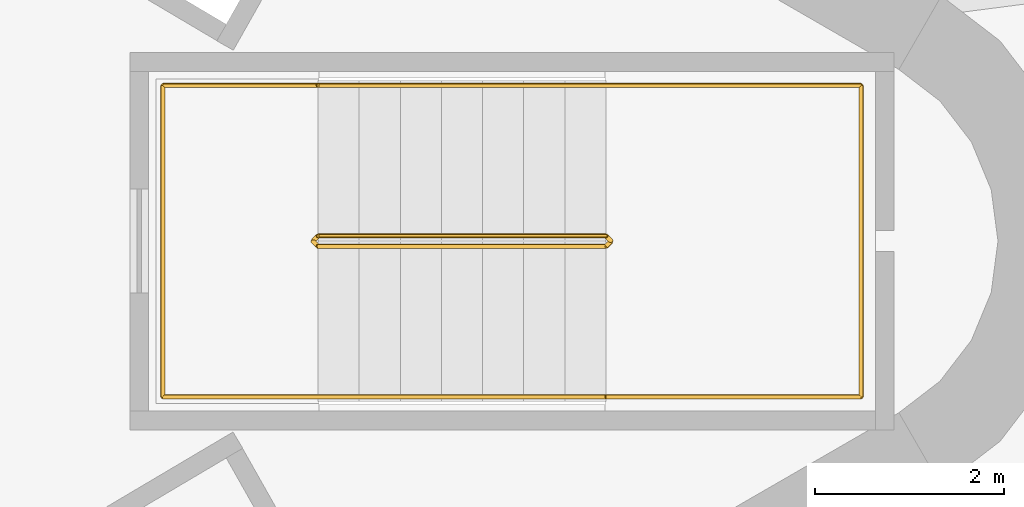
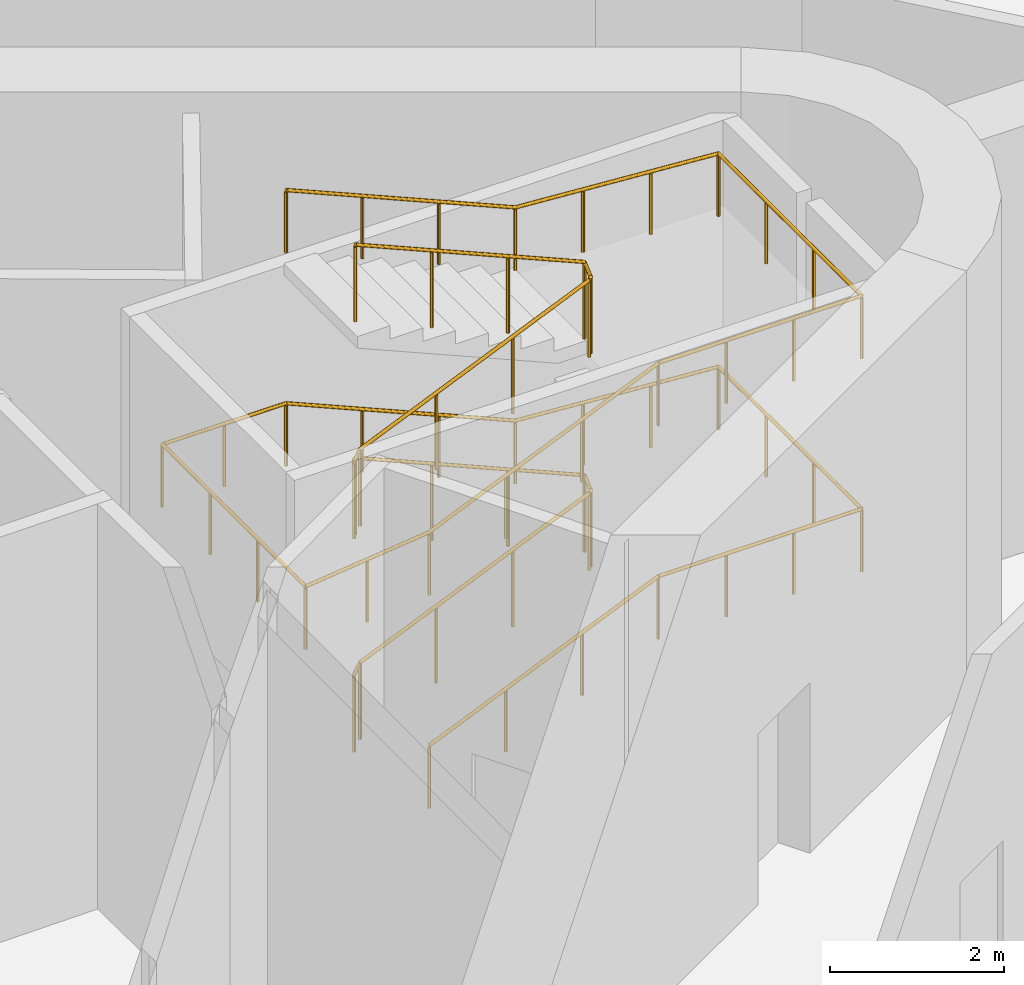
# One storey, part 13 of 13: 2 railings.
"""IFC4 building model written with IfcOpenShell, lengths in metres."""

from ifc_helpers import new_model, si_unit, direction, frame, origin, origin_2d, place, context, subcontext, project, spatial, circle, extrude, material, type_object, element, save


model = new_model("IFC4")

# Units and contexts
model_context = context("Model", 3, precision=1e-05, world=origin(), true_north=direction((0.0, 1.0)))
body_context = subcontext(model_context, "Body", "Model", "MODEL_VIEW")
ifc_project = project(units=[si_unit("LENGTHUNIT", "METRE"), si_unit("AREAUNIT", "SQUARE_METRE"), si_unit("VOLUMEUNIT", "CUBIC_METRE"), si_unit("PLANEANGLEUNIT", "RADIAN"), si_unit("MASSUNIT", "GRAM", prefix="KILO")], contexts=[model_context])

# Site, building, storey
site_placement = place(None, origin())
site = spatial("IfcSite", under=ifc_project, at=site_placement, CompositionType="ELEMENT")
building_placement = place(site_placement, origin())
building = spatial("IfcBuilding", under=site, at=building_placement, Name="Tanit Gate Tower", CompositionType="ELEMENT")
storey_placement = place(building_placement, frame((0.0, 0.0, 163.199951171875)))
storey = spatial("IfcBuildingStorey", under=building, at=storey_placement, Name="L35", CompositionType="ELEMENT", Elevation=163.199951171875)

# Railings
ifc_material_1 = material(Name="Stainless steel balustrade", Category="steel")
railing_type_1 = type_object("IfcRailingType", Name="INT-STAIR-GUARD", PredefinedType="GUARDRAIL", material=ifc_material_1)
railing_1_placement = place(storey_placement, frame((13.044921875, 0.0048828125, 0.0)))
element("IfcRailing", 1, at=railing_1_placement, inside=storey, type_object=railing_type_1, Name="L35 S1 stair guard 1", PredefinedType="GUARDRAIL", context=body_context, shape_type="SweptSolid", body=[
    extrude(circle(Radius=0.02392578125, at=origin_2d()), frame((0.0, 0.0, 1.076171875), z_axis=(0.0, -1.0, 0.0), x_axis=(1.0, 0.0, 0.0)), (0.0, 0.0, 1.0), 0.009765625),
    extrude(circle(Radius=0.02392578125, at=origin_2d()), frame((0.0, -0.009765625, 1.076171875), z_axis=(0.249726431254, -0.249726431254, 0.935560483917), x_axis=(0.707106781187, 0.707106781187, 0.0)), (0.0, 0.0, 1.0), 0.200439453125),
    extrude(circle(Radius=0.02392578125, at=origin_2d()), frame((0.050048828125, -0.059814453125, 1.263671875), z_axis=(0.918608089886, 0.0, 0.395169808052), x_axis=(0.0, 1.0, 0.0)), (0.0, 0.0, 1.0), 3.3212890625),
    extrude(circle(Radius=0.02392578125, at=origin_2d()), frame((3.10107421875, -0.059814453125, 2.576171875), z_axis=(0.707106781187, 0.707106781187, 0.0), x_axis=(-0.707106781187, 0.707106781187, 0.0)), (0.0, 0.0, 1.0), 0.07080078125),
    extrude(circle(Radius=0.02392578125, at=origin_2d()), frame((3.151123046875, -0.009765625, 2.576171875), z_axis=(0.0, 1.0, 0.0), x_axis=(-1.0, 0.0, 0.0)), (0.0, 0.0, 1.0), 0.009765625),
    extrude(circle(Radius=0.02392578125, at=origin_2d()), frame((3.151123046875, 0.0, 2.576171875), z_axis=(-0.249726431254, 0.249726431254, 0.935560483917), x_axis=(-0.707106781187, -0.707106781187, 0.0)), (0.0, 0.0, 1.0), 0.200439453125),
    extrude(circle(Radius=0.02392578125, at=origin_2d()), frame((3.10107421875, 0.050048828125, 2.763671875), z_axis=(-0.918608089886, 0.0, 0.395169808052), x_axis=(0.0, -1.0, 0.0)), (0.0, 0.0, 1.0), 3.3212890625),
    extrude(circle(Radius=0.02392578125, at=origin_2d()), frame((0.050048828125, 0.050048828125, 4.076171875), z_axis=(-0.707106781187, -0.707106781187, 0.0), x_axis=(0.707106781187, -0.707106781187, 0.0)), (0.0, 0.0, 1.0), 0.07080078125),
    extrude(circle(Radius=0.02392578125, at=origin_2d()), frame((0.0, 0.0, 4.076171875), z_axis=(0.0, -1.0, 0.0), x_axis=(1.0, 0.0, 0.0)), (0.0, 0.0, 1.0), 0.009765625),
    extrude(circle(Radius=0.02392578125, at=origin_2d()), frame((0.0, -0.009765625, 4.076171875), z_axis=(0.249726431254, -0.249726431254, 0.935560483917), x_axis=(0.707106781187, 0.707106781187, 0.0)), (0.0, 0.0, 1.0), 0.200439453125),
    extrude(circle(Radius=0.02392578125, at=origin_2d()), frame((0.050048828125, -0.059814453125, 4.263671875), z_axis=(0.918608089886, 0.0, 0.395169808052), x_axis=(0.0, 1.0, 0.0)), (0.0, 0.0, 1.0), 3.3212890625),
    extrude(circle(Radius=0.02392578125, at=origin_2d()), frame((3.10107421875, -0.059814453125, 5.576171875), z_axis=(0.707106781187, 0.707106781187, 0.0), x_axis=(-0.707106781187, 0.707106781187, 0.0)), (0.0, 0.0, 1.0), 0.07080078125),
    extrude(circle(Radius=0.02392578125, at=origin_2d()), frame((3.151123046875, -0.009765625, 5.576171875), z_axis=(0.0, 1.0, 0.0), x_axis=(-1.0, 0.0, 0.0)), (0.0, 0.0, 1.0), 0.009765625),
    extrude(circle(Radius=0.02392578125, at=origin_2d()), frame((3.151123046875, 0.0, 5.576171875), z_axis=(-0.249726431254, 0.249726431254, 0.935560483917), x_axis=(-0.707106781187, -0.707106781187, 0.0)), (0.0, 0.0, 1.0), 0.200439453125),
    extrude(circle(Radius=0.02392578125, at=origin_2d()), frame((3.10107421875, 0.050048828125, 5.763671875), z_axis=(-0.918608089886, 0.0, 0.395169808052), x_axis=(0.0, -1.0, 0.0)), (0.0, 0.0, 1.0), 3.3212890625),
    extrude(circle(Radius=0.02099609375, at=origin_2d()), origin(), (0.0, 0.0, 1.0), 1.052001953125),
    extrude(circle(Radius=0.02099609375, at=origin_2d()), frame((0.0, -0.009765625, 0.0)), (0.0, 0.0, 1.0), 1.052001953125),
    extrude(circle(Radius=0.02099609375, at=origin_2d()), frame((0.050048828125, -0.059814453125, 0.1875)), (0.0, 0.0, 1.0), 1.052001953125),
    extrude(circle(Radius=0.02099609375, at=origin_2d()), frame((1.067138671875, -0.059814453125, 0.625)), (0.0, 0.0, 1.0), 1.052001953125),
    extrude(circle(Radius=0.02099609375, at=origin_2d()), frame((2.083984375, -0.059814453125, 1.0625)), (0.0, 0.0, 1.0), 1.052001953125),
    extrude(circle(Radius=0.02099609375, at=origin_2d()), frame((3.10107421875, -0.059814453125, 1.5)), (0.0, 0.0, 1.0), 1.052001953125),
    extrude(circle(Radius=0.02099609375, at=origin_2d()), frame((3.151123046875, -0.009765625, 1.5)), (0.0, 0.0, 1.0), 1.052001953125),
    extrude(circle(Radius=0.02099609375, at=origin_2d()), frame((3.151123046875, 0.0, 1.5)), (0.0, 0.0, 1.0), 1.052001953125),
    extrude(circle(Radius=0.02099609375, at=origin_2d()), frame((3.10107421875, 0.050048828125, 1.6875)), (0.0, 0.0, 1.0), 1.052001953125),
    extrude(circle(Radius=0.02099609375, at=origin_2d()), frame((2.083984375, 0.050048828125, 2.125)), (0.0, 0.0, 1.0), 1.052001953125),
    extrude(circle(Radius=0.02099609375, at=origin_2d()), frame((1.067138671875, 0.050048828125, 2.5625)), (0.0, 0.0, 1.0), 1.052001953125),
    extrude(circle(Radius=0.02099609375, at=origin_2d()), frame((0.050048828125, 0.050048828125, 3.0)), (0.0, 0.0, 1.0), 1.052001953125),
    extrude(circle(Radius=0.02099609375, at=origin_2d()), frame((0.0, 0.0, 3.0)), (0.0, 0.0, 1.0), 1.052001953125),
    extrude(circle(Radius=0.02099609375, at=origin_2d()), frame((0.0, -0.009765625, 3.0)), (0.0, 0.0, 1.0), 1.052001953125),
    extrude(circle(Radius=0.02099609375, at=origin_2d()), frame((0.050048828125, -0.059814453125, 3.1875)), (0.0, 0.0, 1.0), 1.052001953125),
    extrude(circle(Radius=0.02099609375, at=origin_2d()), frame((1.067138671875, -0.059814453125, 3.625)), (0.0, 0.0, 1.0), 1.052001953125),
    extrude(circle(Radius=0.02099609375, at=origin_2d()), frame((2.083984375, -0.059814453125, 4.0625)), (0.0, 0.0, 1.0), 1.052001953125),
    extrude(circle(Radius=0.02099609375, at=origin_2d()), frame((3.10107421875, -0.059814453125, 4.5)), (0.0, 0.0, 1.0), 1.052001953125),
    extrude(circle(Radius=0.02099609375, at=origin_2d()), frame((3.151123046875, -0.009765625, 4.5)), (0.0, 0.0, 1.0), 1.052001953125),
    extrude(circle(Radius=0.02099609375, at=origin_2d()), frame((3.151123046875, 0.0, 4.5)), (0.0, 0.0, 1.0), 1.052001953125),
    extrude(circle(Radius=0.02099609375, at=origin_2d()), frame((3.10107421875, 0.050048828125, 4.6875)), (0.0, 0.0, 1.0), 1.052001953125),
    extrude(circle(Radius=0.02099609375, at=origin_2d()), frame((2.083984375, 0.050048828125, 5.125)), (0.0, 0.0, 1.0), 1.052001953125),
    extrude(circle(Radius=0.02099609375, at=origin_2d()), frame((1.067138671875, 0.050048828125, 5.5625)), (0.0, 0.0, 1.0), 1.052001953125),
    extrude(circle(Radius=0.02099609375, at=origin_2d()), frame((0.050048828125, 0.050048828125, 6.0)), (0.0, 0.0, 1.0), 1.052001953125),
])
ifc_material_2 = material(Name="Stainless steel handrail", Category="steel")
railing_type_2 = type_object("IfcRailingType", Name="INT-STAIR-HANDRAIL", PredefinedType="HANDRAIL", material=ifc_material_2)
railing_2_placement = place(storey_placement, frame((13.094970703125, -1.64990234375, 0.1875)))
element("IfcRailing", 2, at=railing_2_placement, inside=storey, type_object=railing_type_2, Name="L35 S1 stair handrail 1", PredefinedType="HANDRAIL", context=body_context, shape_type="SweptSolid", body=[
    extrude(circle(Radius=0.02392578125, at=origin_2d()), frame((0.0, 0.0, 0.8759765625), z_axis=(0.918608089886, 0.0, 0.395169808052), x_axis=(0.0, 1.0, 0.0)), (0.0, 0.0, 1.0), 3.3212890625),
    extrude(circle(Radius=0.02392578125, at=origin_2d()), frame((3.051025390625, 0.0, 2.1884765625), z_axis=(1.0, 0.0, 0.0), x_axis=(0.0, 1.0, 0.0)), (0.0, 0.0, 1.0), 2.7041015625),
    extrude(circle(Radius=0.02392578125, at=origin_2d()), frame((5.755126953125, 0.0, 2.1884765625), z_axis=(0.0, 1.0, 0.0), x_axis=(-1.0, 0.0, 0.0)), (0.0, 0.0, 1.0), 3.2998046875),
    extrude(circle(Radius=0.02392578125, at=origin_2d()), frame((5.755126953125, 3.2998046875, 2.1884765625), z_axis=(-0.997604677724, 0.0, 0.069173022074), x_axis=(0.0, -1.0, 0.0)), (0.0, 0.0, 1.0), 2.710693359375),
    extrude(circle(Radius=0.02392578125, at=origin_2d()), frame((3.051025390625, 3.2998046875, 2.3759765625), z_axis=(-0.918608089886, 0.0, 0.395169808052), x_axis=(0.0, -1.0, 0.0)), (0.0, 0.0, 1.0), 3.3212890625),
    extrude(circle(Radius=0.02392578125, at=origin_2d()), frame((0.0, 3.2998046875, 3.6884765625), z_axis=(-1.0, 0.0, 0.0), x_axis=(0.0, -1.0, 0.0)), (0.0, 0.0, 1.0), 1.64501953125),
    extrude(circle(Radius=0.02392578125, at=origin_2d()), frame((-1.64501953125, 3.2998046875, 3.6884765625), z_axis=(0.0, -1.0, 0.0), x_axis=(1.0, 0.0, 0.0)), (0.0, 0.0, 1.0), 3.2998046875),
    extrude(circle(Radius=0.02392578125, at=origin_2d()), frame((-1.64501953125, 0.0, 3.6884765625), z_axis=(0.99356684807, 0.0, 0.113247156325), x_axis=(0.0, 1.0, 0.0)), (0.0, 0.0, 1.0), 1.65576171875),
    extrude(circle(Radius=0.02392578125, at=origin_2d()), frame((0.0, 0.0, 3.8759765625), z_axis=(0.918608089886, 0.0, 0.395169808052), x_axis=(0.0, 1.0, 0.0)), (0.0, 0.0, 1.0), 3.3212890625),
    extrude(circle(Radius=0.02392578125, at=origin_2d()), frame((3.051025390625, 0.0, 5.1884765625), z_axis=(1.0, 0.0, 0.0), x_axis=(0.0, 1.0, 0.0)), (0.0, 0.0, 1.0), 2.7041015625),
    extrude(circle(Radius=0.02392578125, at=origin_2d()), frame((5.755126953125, 0.0, 5.1884765625), z_axis=(0.0, 1.0, 0.0), x_axis=(-1.0, 0.0, 0.0)), (0.0, 0.0, 1.0), 3.2998046875),
    extrude(circle(Radius=0.02392578125, at=origin_2d()), frame((5.755126953125, 3.2998046875, 5.1884765625), z_axis=(-0.997604677724, 0.0, 0.069173022074), x_axis=(0.0, -1.0, 0.0)), (0.0, 0.0, 1.0), 2.710693359375),
    extrude(circle(Radius=0.02392578125, at=origin_2d()), frame((3.051025390625, 3.2998046875, 5.3759765625), z_axis=(-0.918608089886, 0.0, 0.395169808052), x_axis=(0.0, -1.0, 0.0)), (0.0, 0.0, 1.0), 3.3212890625),
    extrude(circle(Radius=0.02099609375, at=origin_2d()), origin(), (0.0, 0.0, 1.0), 0.851806640625),
    extrude(circle(Radius=0.02099609375, at=origin_2d()), frame((1.01708984375, 0.0, 0.4375)), (0.0, 0.0, 1.0), 0.851806640625),
    extrude(circle(Radius=0.02099609375, at=origin_2d()), frame((2.033935546875, 0.0, 0.875)), (0.0, 0.0, 1.0), 0.851806640625),
    extrude(circle(Radius=0.02099609375, at=origin_2d()), frame((3.051025390625, 0.0, 1.3125)), (0.0, 0.0, 1.0), 0.851806640625),
    extrude(circle(Radius=0.02099609375, at=origin_2d()), frame((3.952392578125, 0.0, 1.3125)), (0.0, 0.0, 1.0), 0.851806640625),
    extrude(circle(Radius=0.02099609375, at=origin_2d()), frame((4.853759765625, 0.0, 1.3125)), (0.0, 0.0, 1.0), 0.851806640625),
    extrude(circle(Radius=0.02099609375, at=origin_2d()), frame((5.755126953125, 0.0, 1.3125)), (0.0, 0.0, 1.0), 0.851806640625),
    extrude(circle(Radius=0.02099609375, at=origin_2d()), frame((5.755126953125, 1.099853515625, 1.3125)), (0.0, 0.0, 1.0), 0.851806640625),
    extrude(circle(Radius=0.02099609375, at=origin_2d()), frame((5.755126953125, 2.199951171875, 1.3125)), (0.0, 0.0, 1.0), 0.851806640625),
    extrude(circle(Radius=0.02099609375, at=origin_2d()), frame((5.755126953125, 3.2998046875, 1.3125)), (0.0, 0.0, 1.0), 0.851806640625),
    extrude(circle(Radius=0.02099609375, at=origin_2d()), frame((4.853759765625, 3.2998046875, 1.375)), (0.0, 0.0, 1.0), 0.851806640625),
    extrude(circle(Radius=0.02099609375, at=origin_2d()), frame((3.952392578125, 3.2998046875, 1.4375)), (0.0, 0.0, 1.0), 0.851806640625),
    extrude(circle(Radius=0.02099609375, at=origin_2d()), frame((3.051025390625, 3.2998046875, 1.5)), (0.0, 0.0, 1.0), 0.851806640625),
    extrude(circle(Radius=0.02099609375, at=origin_2d()), frame((2.033935546875, 3.2998046875, 1.9375)), (0.0, 0.0, 1.0), 0.851806640625),
    extrude(circle(Radius=0.02099609375, at=origin_2d()), frame((1.01708984375, 3.2998046875, 2.375)), (0.0, 0.0, 1.0), 0.851806640625),
    extrude(circle(Radius=0.02099609375, at=origin_2d()), frame((0.0, 3.2998046875, 2.8125)), (0.0, 0.0, 1.0), 0.851806640625),
    extrude(circle(Radius=0.02099609375, at=origin_2d()), frame((-0.822509765625, 3.2998046875, 2.8125)), (0.0, 0.0, 1.0), 0.851806640625),
    extrude(circle(Radius=0.02099609375, at=origin_2d()), frame((-1.64501953125, 3.2998046875, 2.8125)), (0.0, 0.0, 1.0), 0.851806640625),
    extrude(circle(Radius=0.02099609375, at=origin_2d()), frame((-1.64501953125, 2.199951171875, 2.8125)), (0.0, 0.0, 1.0), 0.851806640625),
    extrude(circle(Radius=0.02099609375, at=origin_2d()), frame((-1.64501953125, 1.099853515625, 2.8125)), (0.0, 0.0, 1.0), 0.851806640625),
    extrude(circle(Radius=0.02099609375, at=origin_2d()), frame((-1.64501953125, 0.0, 2.8125)), (0.0, 0.0, 1.0), 0.851806640625),
    extrude(circle(Radius=0.02099609375, at=origin_2d()), frame((-0.822509765625, 0.0, 2.90625)), (0.0, 0.0, 1.0), 0.851806640625),
    extrude(circle(Radius=0.02099609375, at=origin_2d()), frame((0.0, 0.0, 3.0)), (0.0, 0.0, 1.0), 0.851806640625),
    extrude(circle(Radius=0.02099609375, at=origin_2d()), frame((1.01708984375, 0.0, 3.4375)), (0.0, 0.0, 1.0), 0.851806640625),
    extrude(circle(Radius=0.02099609375, at=origin_2d()), frame((2.033935546875, 0.0, 3.875)), (0.0, 0.0, 1.0), 0.851806640625),
    extrude(circle(Radius=0.02099609375, at=origin_2d()), frame((3.051025390625, 0.0, 4.3125)), (0.0, 0.0, 1.0), 0.851806640625),
    extrude(circle(Radius=0.02099609375, at=origin_2d()), frame((3.952392578125, 0.0, 4.3125)), (0.0, 0.0, 1.0), 0.851806640625),
    extrude(circle(Radius=0.02099609375, at=origin_2d()), frame((4.853759765625, 0.0, 4.3125)), (0.0, 0.0, 1.0), 0.851806640625),
    extrude(circle(Radius=0.02099609375, at=origin_2d()), frame((5.755126953125, 0.0, 4.3125)), (0.0, 0.0, 1.0), 0.851806640625),
    extrude(circle(Radius=0.02099609375, at=origin_2d()), frame((5.755126953125, 1.099853515625, 4.3125)), (0.0, 0.0, 1.0), 0.851806640625),
    extrude(circle(Radius=0.02099609375, at=origin_2d()), frame((5.755126953125, 2.199951171875, 4.3125)), (0.0, 0.0, 1.0), 0.851806640625),
    extrude(circle(Radius=0.02099609375, at=origin_2d()), frame((5.755126953125, 3.2998046875, 4.3125)), (0.0, 0.0, 1.0), 0.851806640625),
    extrude(circle(Radius=0.02099609375, at=origin_2d()), frame((4.853759765625, 3.2998046875, 4.375)), (0.0, 0.0, 1.0), 0.851806640625),
    extrude(circle(Radius=0.02099609375, at=origin_2d()), frame((3.952392578125, 3.2998046875, 4.4375)), (0.0, 0.0, 1.0), 0.851806640625),
    extrude(circle(Radius=0.02099609375, at=origin_2d()), frame((3.051025390625, 3.2998046875, 4.5)), (0.0, 0.0, 1.0), 0.851806640625),
    extrude(circle(Radius=0.02099609375, at=origin_2d()), frame((2.033935546875, 3.2998046875, 4.9375)), (0.0, 0.0, 1.0), 0.851806640625),
    extrude(circle(Radius=0.02099609375, at=origin_2d()), frame((1.01708984375, 3.2998046875, 5.375)), (0.0, 0.0, 1.0), 0.851806640625),
    extrude(circle(Radius=0.02099609375, at=origin_2d()), frame((0.0, 3.2998046875, 5.8125)), (0.0, 0.0, 1.0), 0.851806640625),
])

save(model, "model.ifc")
